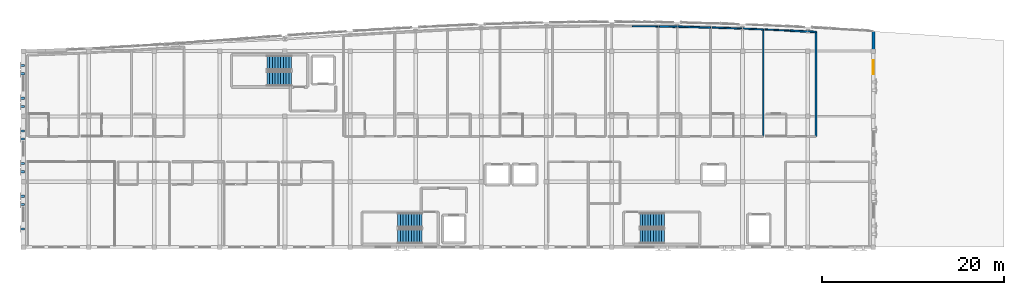
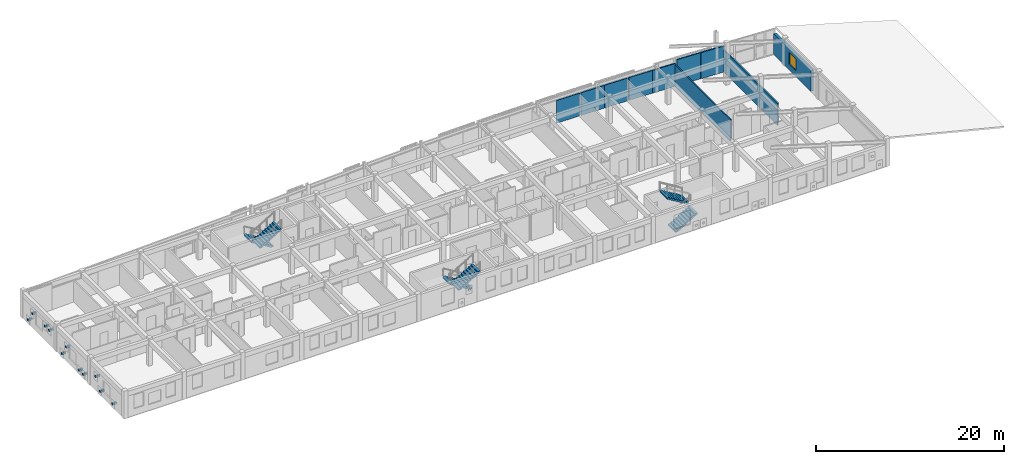
# One storey, part 31 of 34: 11 discrete accessories, 10 walls, 6 stair flights, 1 window, 1 opening, 3 elements without a shape of their own.
"""IFC4 building model written with IfcOpenShell, lengths in metres."""

from ifc_helpers import new_model, si_unit, direction, frame, frame_2d, origin, origin_2d, place, context, subcontext, project, spatial, polyline, rectangle, outline, extrude, material, layer, layer_set, type_object, element, fill, aggregate, save


model = new_model("IFC4")

# Units and contexts
model_context = context("Model", 3, precision=1e-05, world=origin(), true_north=direction((0.0, 1.0)))
body_context = subcontext(model_context, "Body", "Model", "MODEL_VIEW")
ifc_project = project(units=[si_unit("LENGTHUNIT", "METRE"), si_unit("AREAUNIT", "SQUARE_METRE"), si_unit("VOLUMEUNIT", "CUBIC_METRE"), si_unit("PLANEANGLEUNIT", "RADIAN"), si_unit("MASSUNIT", "GRAM", prefix="KILO")], contexts=[model_context])

# Site, building, storey
site_placement = place(None, origin())
site = spatial("IfcSite", under=ifc_project, at=site_placement, CompositionType="ELEMENT")
building_placement = place(site_placement, origin())
building = spatial("IfcBuilding", under=site, at=building_placement, Name="Carrowvane Square Congress Hotel", CompositionType="ELEMENT")
storey_placement = place(building_placement, frame((0.0, 0.0, 40.800048828125)))
storey = spatial("IfcBuildingStorey", under=building, at=storey_placement, Name="L10", CompositionType="ELEMENT", Elevation=40.800048828125)

# Wall, opening, window
ifc_material_1 = material(Name="Glazed terracotta rainscreen", Category="masonry")
ifc_layer_1 = layer(ifc_material_1, 0.330078125)
ifc_layer_set_1 = layer_set([ifc_layer_1], Name="Glazed terracotta rainscreen")
wall_type_1 = type_object("IfcWallType", Name="WL-EXT-TC330", PredefinedType="STANDARD", material=ifc_layer_set_1)
wall_1_placement = place(storey_placement, frame((126.800048828125, 115.57421875, 0.0), z_axis=(0.0, 0.0, 1.0), x_axis=(0.0, -1.0, 0.0)))
wall_1 = element("IfcWall", 1, at=wall_1_placement, inside=storey, type_object=wall_type_1, Name="L10 exterior facade wall 585", PredefinedType="STANDARD", context=body_context, shape_type="SweptSolid", body=[
    extrude(rectangle(XDim=7.9248046875, YDim=0.330078125, at=frame_2d((3.96240234375, 0.0))), origin(), (0.0, 0.0, 1.0), 2.71484375),
])
opening_placement = place(wall_1_placement, frame((3.21240234375, 0.0, 0.75)))
opening = element("IfcOpeningElement", 2, at=opening_placement, cuts=wall_1, Name="Opening W-15", PredefinedType="OPENING", context=body_context, shape_type="SweptSolid", body=[
    extrude(rectangle(XDim=1.5, YDim=1.5, at=frame_2d((0.75, 0.75))), frame((0.0, 0.175048828125, 0.0), z_axis=(0.0, -1.0, 0.0), x_axis=(1.0, 0.0, 0.0)), (0.0, 0.0, 1.0), 0.35009765625),
])
ifc_material_2 = material(Name="Double-glazed low-E glass", Category="glass")
window_type = type_object("IfcWindowType", Name="WIN-15", PartitioningType="SINGLE_PANEL", PredefinedType="WINDOW", material=ifc_material_2)
window_placement = place(opening_placement, origin())
window = element("IfcWindow", 3, at=window_placement, inside=storey, type_object=window_type, Name="L10 facade window 457", OverallHeight=1.5, OverallWidth=1.5, PartitioningType="SINGLE_PANEL", PredefinedType="WINDOW", context=body_context, shape_type="SweptSolid", body=[
    extrude(rectangle(XDim=1.5, YDim=1.5, at=frame_2d((0.75, 0.75))), frame((0.0, 0.030029296875, 0.0), z_axis=(0.0, -1.0, 0.0), x_axis=(1.0, 0.0, 0.0)), (0.0, 0.0, 1.0), 0.06005859375),
])
fill(opening, window)

# Walls
ifc_material_3 = material(Name="Acoustic gypsum board", Category="gypsum")
ifc_layer_2 = layer(ifc_material_3, 0.155029296875)
ifc_layer_set_2 = layer_set([ifc_layer_2], Name="Acoustic gypsum board")
wall_type_2 = type_object("IfcWallType", Name="WL-FIR-155", PredefinedType="PARTITIONING", material=ifc_layer_set_2)
wall_2_placement = place(storey_placement, frame((109.050048828125, 115.984130859375, 0.0), z_axis=(0.0, 0.0, 1.0), x_axis=(0.999470627271, -0.032534062493, 0.0)))
element("IfcWall", 4, at=wall_2_placement, inside=storey, type_object=wall_type_2, Name="L10 Parkview Suite 1015 partition", PredefinedType="PARTITIONING", context=body_context, shape_type="SweptSolid", body=[
    extrude(rectangle(XDim=2.821533203125, YDim=0.155029296875, at=frame_2d((1.41064453125, 0.0))), origin(), (0.0, 0.0, 1.0), 2.95556640625),
])
ifc_material_4 = material(Name="Acoustic gypsum board", Category="gypsum")
ifc_layer_3 = layer(ifc_material_4, 0.169921875)
ifc_layer_set_3 = layer_set([ifc_layer_3], Name="Acoustic gypsum board")
wall_type_3 = type_object("IfcWallType", Name="WL-FIR-170", PredefinedType="PARTITIONING", material=ifc_layer_set_3)
wall_3_placement = place(storey_placement, frame((106.070068359375, 116.06005859375, 0.0), z_axis=(0.0, 0.0, 1.0), x_axis=(0.999680578889, -0.025273309873, 0.0)))
element("IfcWall", 5, at=wall_3_placement, inside=storey, type_object=wall_type_3, Name="L10 Parkview Suite 1014 partition", PredefinedType="PARTITIONING", context=body_context, shape_type="SweptSolid", body=[
    extrude(rectangle(XDim=2.82080078125, YDim=0.169921875, at=frame_2d((1.410400390625, 0.0))), origin(), (0.0, 0.0, 1.0), 2.95556640625),
])
wall_4_placement = place(storey_placement, frame((120.489990234375, 115.498779296875, 0.0), z_axis=(0.0, 0.0, 1.0), x_axis=(0.0, -1.0, 0.0)))
element("IfcWall", 6, at=wall_4_placement, inside=storey, type_object=wall_type_3, Name="L10 Parkview Suite 1016 partition", PredefinedType="PARTITIONING", context=body_context, shape_type="SweptSolid", body=[
    extrude(rectangle(XDim=11.498779296875, YDim=0.169921875, at=frame_2d((5.74951171875, 0.0))), origin(), (0.0, 0.0, 1.0), 2.8603515625),
])
ifc_material_5 = material(Name="Acoustic gypsum board", Category="gypsum")
ifc_layer_4 = layer(ifc_material_5, 0.18505859375)
ifc_layer_set_4 = layer_set([ifc_layer_4], Name="Acoustic gypsum board")
wall_type_4 = type_object("IfcWallType", Name="WL-FIR-185", PredefinedType="PARTITIONING", material=ifc_layer_set_4)
wall_5_placement = place(storey_placement, frame((103.25, 116.111328125, 0.0), z_axis=(0.0, 0.0, 1.0), x_axis=(0.999834780317, -0.018177240401, 0.0)))
element("IfcWall", 7, at=wall_5_placement, inside=storey, type_object=wall_type_4, Name="L10 Parkview Suite 1014 partition", PredefinedType="PARTITIONING", context=body_context, shape_type="SweptSolid", body=[
    extrude(rectangle(XDim=2.820556640625, YDim=0.18505859375, at=frame_2d((1.41015625, 0.0))), origin(), (0.0, 0.0, 1.0), 2.95556640625),
])
wall_6_placement = place(storey_placement, frame((117.669921875, 115.644775390625, 0.0), z_axis=(0.0, 0.0, 1.0), x_axis=(0.998662600101, -0.051701171748, 0.0)))
element("IfcWall", 8, at=wall_6_placement, inside=storey, type_object=wall_type_4, Name="L10 Parkview Suite 1016 partition", PredefinedType="PARTITIONING", context=body_context, shape_type="SweptSolid", body=[
    extrude(rectangle(XDim=2.82373046875, YDim=0.18505859375, at=frame_2d((1.411865234375, 0.0))), origin(), (0.0, 0.0, 1.0), 3.3798828125),
])
ifc_material_6 = material(Name="Acoustic gypsum board", Category="gypsum")
ifc_layer_5 = layer(ifc_material_6, 0.137939453125)
ifc_layer_set_5 = layer_set([ifc_layer_5], Name="Acoustic gypsum board")
wall_type_5 = type_object("IfcWallType", Name="WL-PRT-138", PredefinedType="PARTITIONING", material=ifc_layer_set_5)
wall_7_placement = place(storey_placement, frame((100.27001953125, 116.142578125, 0.0), z_axis=(0.0, 0.0, 1.0), x_axis=(0.999948705696, -0.010128473601, 0.0)))
element("IfcWall", 9, at=wall_7_placement, inside=storey, type_object=wall_type_5, Name="L10 Parkview Suite 1013 partition", PredefinedType="PARTITIONING", context=body_context, shape_type="SweptSolid", body=[
    extrude(rectangle(XDim=2.8203125, YDim=0.137939453125, at=frame_2d((1.41015625, 0.0))), origin(), (0.0, 0.0, 1.0), 2.95556640625),
])
wall_8_placement = place(storey_placement, frame((114.68994140625, 115.781982421875, 0.0), z_axis=(0.0, 0.0, 1.0), x_axis=(0.0, -1.0, 0.0)))
element("IfcWall", 10, at=wall_8_placement, inside=storey, type_object=wall_type_5, Name="L10 Parkview Suite 1015 partition", PredefinedType="PARTITIONING", context=body_context, shape_type="SweptSolid", body=[
    extrude(rectangle(XDim=11.781982421875, YDim=0.137939453125, at=frame_2d((5.89111328125, 0.0))), origin(), (0.0, 0.0, 1.0), 2.764892578125),
])
wall_9_placement = place(storey_placement, frame((114.85009765625, 115.775390625, 0.0), z_axis=(0.0, 0.0, 1.0), x_axis=(0.998928935986, -0.046270734264, 0.0)))
element("IfcWall", 11, at=wall_9_placement, inside=storey, type_object=wall_type_5, Name="L10 Parkview Suite 1016 partition", PredefinedType="PARTITIONING", context=body_context, shape_type="SweptSolid", body=[
    extrude(rectangle(XDim=2.82275390625, YDim=0.137939453125, at=frame_2d((1.411376953125, 0.0))), origin(), (0.0, 0.0, 1.0), 3.3798828125),
])
ifc_material_7 = material(Name="Acoustic gypsum board", Category="gypsum")
ifc_layer_6 = layer(ifc_material_7, 0.14794921875)
ifc_layer_set_6 = layer_set([ifc_layer_6], Name="Acoustic gypsum board")
wall_type_6 = type_object("IfcWallType", Name="WL-PRT-148", PredefinedType="PARTITIONING", material=ifc_layer_set_6)
wall_10_placement = place(storey_placement, frame((111.8701171875, 115.892333984375, 0.0), z_axis=(0.0, 0.0, 1.0), x_axis=(0.999235135651, -0.03910426678, 0.0)))
element("IfcWall", 12, at=wall_10_placement, inside=storey, type_object=wall_type_6, Name="L10 Parkview Suite 1015 partition", PredefinedType="PARTITIONING", context=body_context, shape_type="SweptSolid", body=[
    extrude(rectangle(XDim=2.822021484375, YDim=0.14794921875, at=frame_2d((1.4111328125, 0.0))), origin(), (0.0, 0.0, 1.0), 2.95556640625),
])

# Stair, stair flights
ifc_material_8 = material(Name="Concrete C35/45", Category="concrete")
stair_type = type_object("IfcStairType", Name="STR-DOG-02", PredefinedType="HALF_TURN_STAIR", material=ifc_material_8)
stair_1_placement = place(storey_placement, origin())
stair_1 = element("IfcStair", 13, at=stair_1_placement, inside=storey, type_object=stair_type, Name="L10 Core C1 West Hotel Firefighting Stair", PredefinedType="HALF_TURN_STAIR")
ifc_material_9 = material(Name="Concrete C35/45", Category="concrete")
stair_flight_type = type_object("IfcStairFlightType", Name="SFL-STR-02", PredefinedType="STRAIGHT", material=ifc_material_9)
stair_flight_1_placement = place(storey_placement, frame((62.719970703125, 112.110107421875, 0.0), z_axis=(0.0, 0.0, 1.0), x_axis=(-1.0, 0.0, 0.0)))
stair_flight_1 = element("IfcStairFlight", 14, at=stair_flight_1_placement, type_object=stair_flight_type, Name="ST1 flight 1", NumberOfRisers=10, NumberOfTreads=9, PredefinedType="STRAIGHT", RiserHeight=0.18, TreadLength=0.3, context=body_context, shape_type="SweptSolid", body=[
    extrude(outline(polyline([(0.0, 0.0), (0.0, 0.179931640625), (0.300048828125, 0.179931640625), (0.300048828125, 0.360107421875), (0.60009765625, 0.360107421875), (0.60009765625, 0.5400390625), (0.89990234375, 0.5400390625), (0.89990234375, 0.719970703125), (1.199951171875, 0.719970703125), (1.199951171875, 0.89990234375), (1.5, 0.89990234375), (1.5, 1.080078125), (1.800048828125, 1.080078125), (1.800048828125, 1.260009765625), (2.10009765625, 1.260009765625), (2.10009765625, 1.43994140625), (2.39990234375, 1.43994140625), (2.39990234375, 1.6201171875), (2.699951171875, 1.6201171875), (2.699951171875, 1.800048828125), (2.699951171875, 1.445068359375), (0.291259765625, 0.0), (0.0, 0.0)])), frame((0.0, 0.7900390625, 0.0), z_axis=(0.0, -1.0, 0.0), x_axis=(1.0, 0.0, 0.0)), (0.0, 0.0, 1.0), 1.580078125),
])
stair_flight_2_placement = place(storey_placement, frame((60.02001953125, 110.330078125, 1.800048828125), z_axis=(0.0, 0.0, 1.0), x_axis=(1.0, 0.0, 0.0)))
stair_flight_2 = element("IfcStairFlight", 15, at=stair_flight_2_placement, type_object=stair_flight_type, Name="ST1 flight 2", NumberOfRisers=10, NumberOfTreads=9, PredefinedType="STRAIGHT", RiserHeight=0.18, TreadLength=0.3, context=body_context, shape_type="SweptSolid", body=[
    extrude(outline(polyline([(0.0, 0.0), (0.0, 0.179931640625), (0.300048828125, 0.179931640625), (0.300048828125, 0.360107421875), (0.60009765625, 0.360107421875), (0.60009765625, 0.5400390625), (0.89990234375, 0.5400390625), (0.89990234375, 0.719970703125), (1.199951171875, 0.719970703125), (1.199951171875, 0.89990234375), (1.5, 0.89990234375), (1.5, 1.080078125), (1.800048828125, 1.080078125), (1.800048828125, 1.260009765625), (2.10009765625, 1.260009765625), (2.10009765625, 1.43994140625), (2.39990234375, 1.43994140625), (2.39990234375, 1.6201171875), (2.699951171875, 1.6201171875), (2.699951171875, 1.800048828125), (2.699951171875, 1.445068359375), (0.291259765625, 0.0), (0.0, 0.0)])), frame((0.0, 0.7900390625, 0.0), z_axis=(0.0, -1.0, 0.0), x_axis=(1.0, 0.0, 0.0)), (0.0, 0.0, 1.0), 1.580078125),
])
aggregate(stair_1, [stair_flight_1, stair_flight_2])

stair_2_placement = place(storey_placement, origin())
stair_2 = element("IfcStair", 16, at=stair_2_placement, inside=storey, type_object=stair_type, Name="L10 Core C2 Central Hotel Firefighting Stair", PredefinedType="HALF_TURN_STAIR")
stair_flight_3_placement = place(storey_placement, frame((77.1201171875, 94.77001953125, 0.0), z_axis=(0.0, 0.0, 1.0), x_axis=(-1.0, 0.0, 0.0)))
stair_flight_3 = element("IfcStairFlight", 17, at=stair_flight_3_placement, type_object=stair_flight_type, Name="ST2 flight 1", NumberOfRisers=10, NumberOfTreads=9, PredefinedType="STRAIGHT", RiserHeight=0.18, TreadLength=0.3, context=body_context, shape_type="SweptSolid", body=[
    extrude(outline(polyline([(0.0, 0.0), (0.0, 0.179931640625), (0.300048828125, 0.179931640625), (0.300048828125, 0.360107421875), (0.60009765625, 0.360107421875), (0.60009765625, 0.5400390625), (0.89990234375, 0.5400390625), (0.89990234375, 0.719970703125), (1.199951171875, 0.719970703125), (1.199951171875, 0.89990234375), (1.5, 0.89990234375), (1.5, 1.080078125), (1.800048828125, 1.080078125), (1.800048828125, 1.260009765625), (2.10009765625, 1.260009765625), (2.10009765625, 1.43994140625), (2.39990234375, 1.43994140625), (2.39990234375, 1.6201171875), (2.699951171875, 1.6201171875), (2.699951171875, 1.800048828125), (2.699951171875, 1.445068359375), (0.291259765625, 0.0), (0.0, 0.0)])), frame((0.0, 0.7900390625, 0.0), z_axis=(0.0, -1.0, 0.0), x_axis=(1.0, 0.0, 0.0)), (0.0, 0.0, 1.0), 1.580078125),
])
stair_flight_4_placement = place(storey_placement, frame((74.419921875, 92.989990234375, 1.800048828125), z_axis=(0.0, 0.0, 1.0), x_axis=(1.0, 0.0, 0.0)))
stair_flight_4 = element("IfcStairFlight", 18, at=stair_flight_4_placement, type_object=stair_flight_type, Name="ST2 flight 2", NumberOfRisers=10, NumberOfTreads=9, PredefinedType="STRAIGHT", RiserHeight=0.18, TreadLength=0.3, context=body_context, shape_type="SweptSolid", body=[
    extrude(outline(polyline([(0.0, 0.0), (0.0, 0.179931640625), (0.300048828125, 0.179931640625), (0.300048828125, 0.360107421875), (0.60009765625, 0.360107421875), (0.60009765625, 0.5400390625), (0.89990234375, 0.5400390625), (0.89990234375, 0.719970703125), (1.199951171875, 0.719970703125), (1.199951171875, 0.89990234375), (1.5, 0.89990234375), (1.5, 1.080078125), (1.800048828125, 1.080078125), (1.800048828125, 1.260009765625), (2.10009765625, 1.260009765625), (2.10009765625, 1.43994140625), (2.39990234375, 1.43994140625), (2.39990234375, 1.6201171875), (2.699951171875, 1.6201171875), (2.699951171875, 1.800048828125), (2.699951171875, 1.445068359375), (0.291259765625, 0.0), (0.0, 0.0)])), frame((0.0, 0.7900390625, 0.0), z_axis=(0.0, -1.0, 0.0), x_axis=(1.0, 0.0, 0.0)), (0.0, 0.0, 1.0), 1.580078125),
])
aggregate(stair_2, [stair_flight_3, stair_flight_4])

stair_3_placement = place(storey_placement, origin())
stair_3 = element("IfcStair", 19, at=stair_3_placement, inside=storey, type_object=stair_type, Name="L10 Core C3 East Hotel Escape Stair", PredefinedType="HALF_TURN_STAIR")
stair_flight_5_placement = place(storey_placement, frame((101.080078125, 92.989990234375, 0.0), z_axis=(0.0, 0.0, 1.0), x_axis=(1.0, 0.0, 0.0)))
stair_flight_5 = element("IfcStairFlight", 20, at=stair_flight_5_placement, type_object=stair_flight_type, Name="ST3 flight 1", NumberOfRisers=10, NumberOfTreads=9, PredefinedType="STRAIGHT", RiserHeight=0.18, TreadLength=0.3, context=body_context, shape_type="SweptSolid", body=[
    extrude(outline(polyline([(0.0, 0.0), (0.0, 0.179931640625), (0.300048828125, 0.179931640625), (0.300048828125, 0.360107421875), (0.60009765625, 0.360107421875), (0.60009765625, 0.5400390625), (0.89990234375, 0.5400390625), (0.89990234375, 0.719970703125), (1.199951171875, 0.719970703125), (1.199951171875, 0.89990234375), (1.5, 0.89990234375), (1.5, 1.080078125), (1.800048828125, 1.080078125), (1.800048828125, 1.260009765625), (2.10009765625, 1.260009765625), (2.10009765625, 1.43994140625), (2.39990234375, 1.43994140625), (2.39990234375, 1.6201171875), (2.699951171875, 1.6201171875), (2.699951171875, 1.800048828125), (2.699951171875, 1.445068359375), (0.291259765625, 0.0), (0.0, 0.0)])), frame((0.0, 0.7900390625, 0.0), z_axis=(0.0, -1.0, 0.0), x_axis=(1.0, 0.0, 0.0)), (0.0, 0.0, 1.0), 1.580078125),
])
stair_flight_6_placement = place(storey_placement, frame((103.780029296875, 94.77001953125, 1.800048828125), z_axis=(0.0, 0.0, 1.0), x_axis=(-1.0, 0.0, 0.0)))
stair_flight_6 = element("IfcStairFlight", 21, at=stair_flight_6_placement, type_object=stair_flight_type, Name="ST3 flight 2", NumberOfRisers=10, NumberOfTreads=9, PredefinedType="STRAIGHT", RiserHeight=0.18, TreadLength=0.3, context=body_context, shape_type="SweptSolid", body=[
    extrude(outline(polyline([(0.0, 0.0), (0.0, 0.179931640625), (0.300048828125, 0.179931640625), (0.300048828125, 0.360107421875), (0.60009765625, 0.360107421875), (0.60009765625, 0.5400390625), (0.89990234375, 0.5400390625), (0.89990234375, 0.719970703125), (1.199951171875, 0.719970703125), (1.199951171875, 0.89990234375), (1.5, 0.89990234375), (1.5, 1.080078125), (1.800048828125, 1.080078125), (1.800048828125, 1.260009765625), (2.10009765625, 1.260009765625), (2.10009765625, 1.43994140625), (2.39990234375, 1.43994140625), (2.39990234375, 1.6201171875), (2.699951171875, 1.6201171875), (2.699951171875, 1.800048828125), (2.699951171875, 1.445068359375), (0.291259765625, 0.0), (0.0, 0.0)])), frame((0.0, 0.7900390625, 0.0), z_axis=(0.0, -1.0, 0.0), x_axis=(1.0, 0.0, 0.0)), (0.0, 0.0, 1.0), 1.580078125),
])
aggregate(stair_3, [stair_flight_5, stair_flight_6])

# Discrete accessories
ifc_material_10 = material(Name="Stainless steel 316", Category="steel")
discrete_accessory_type = type_object("IfcDiscreteAccessoryType", Name="ACC-BRK-SS", PredefinedType="BRACKET", material=ifc_material_10)
for number, where, z_axis, x_axis, name in (
    (22, (33.074951171875, 93.800048828125, 0.56005859375), (0.0, 0.0, 1.0), (0.0, 1.0, 0.0), "V5 pixel screen bracket 991"),
    (23, (33.074951171875, 96.5, 0.56005859375), (0.0, 0.0, 1.0), (0.0, 1.0, 0.0), "V5 pixel screen bracket 992"),
    (24, (33.074951171875, 97.39990234375, 1.93017578125), (0.0, 0.0, 1.0), (0.0, 1.0, 0.0), "V5 pixel screen bracket 993"),
    (25, (33.074951171875, 100.10009765625, 0.56005859375), (0.0, 0.0, 1.0), (0.0, 1.0, 0.0), "V5 pixel screen bracket 994"),
    (26, (33.074951171875, 101.0, 0.56005859375), (0.0, 0.0, 1.0), (0.0, 1.0, 0.0), "V5 pixel screen bracket 995"),
    (27, (33.074951171875, 103.699951171875, 1.93017578125), (0.0, 0.0, 1.0), (0.0, 1.0, 0.0), "V5 pixel screen bracket 996"),
    (28, (33.074951171875, 104.60009765625, 0.56005859375), (0.0, 0.0, 1.0), (0.0, 1.0, 0.0), "V5 pixel screen bracket 997"),
    (29, (33.074951171875, 107.300048828125, 1.93017578125), (0.0, 0.0, 1.0), (0.0, 1.0, 0.0), "V5 pixel screen bracket 998"),
    (30, (33.074951171875, 108.199951171875, 1.93017578125), (0.0, 0.0, 1.0), (0.0, 1.0, 0.0), "V5 pixel screen bracket 999"),
    (31, (33.074951171875, 110.89990234375, 1.93017578125), (0.0, 0.0, 1.0), (0.0, 1.0, 0.0), "V5 pixel screen bracket 1000"),
    (32, (33.074951171875, 111.800048828125, 0.56005859375), (0.0, 0.0, 1.0), (0.0, 1.0, 0.0), "V5 pixel screen bracket 1001"),
):
    element("IfcDiscreteAccessory", number, at=place(storey_placement, frame(where, z_axis=z_axis, x_axis=x_axis)), inside=storey, type_object=discrete_accessory_type, Name=name, PredefinedType="BRACKET", context=body_context, shape_type="SweptSolid", body=[
        extrude(rectangle(XDim=0.239990234375, YDim=0.52001953125, at=origin_2d()), origin(), (0.0, 0.0, 1.0), 0.239990234375),
    ])

save(model, "model.ifc")
